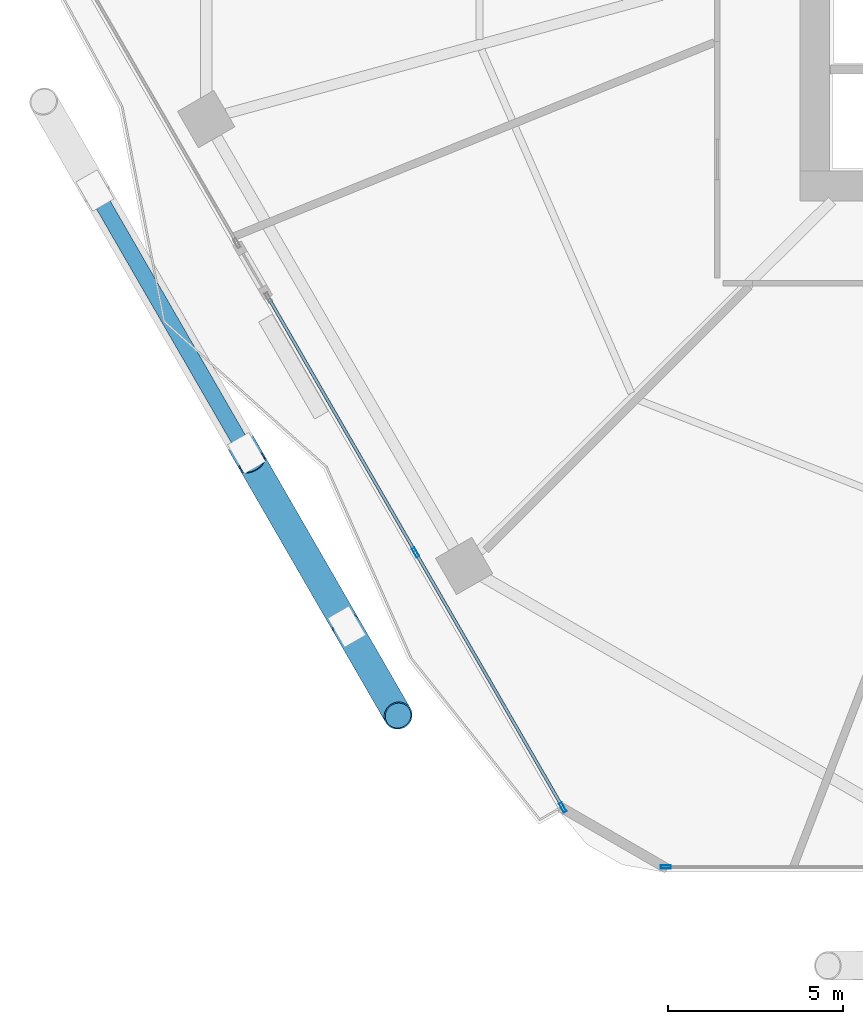
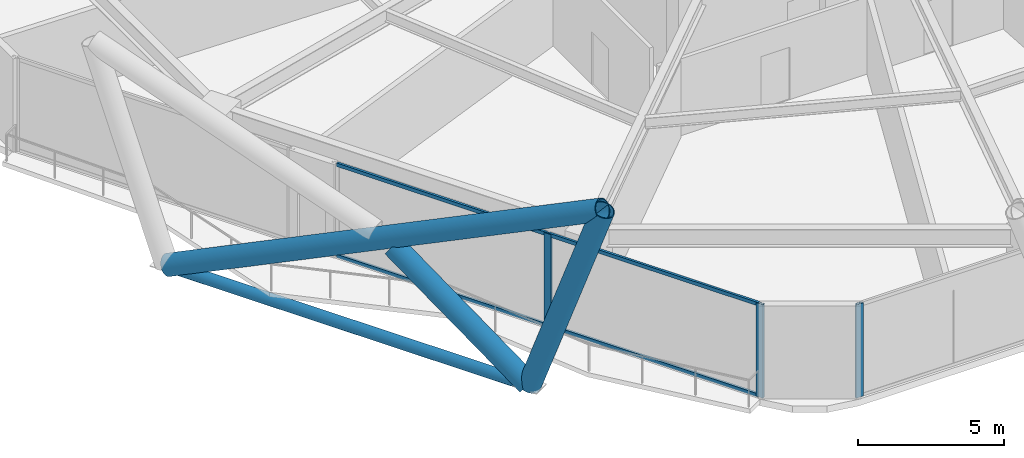
# One storey, part 2 of 30: 11 members, 2 elements without a shape of their own.
"""IFC4 building model written with IfcOpenShell, lengths in metres."""

from ifc_helpers import new_model, si_unit, direction, frame, origin, origin_2d, place, context, subcontext, project, spatial, hollow_rectangle, hollow_circle, extrude, material, material_profile, profile_set, type_object, element, aggregate, save


model = new_model("IFC4")

# Units and contexts
model_context = context("Model", 3, precision=1e-05, world=origin(), true_north=direction((0.0, 1.0)))
body_context = subcontext(model_context, "Body", "Model", "MODEL_VIEW")
ifc_project = project(units=[si_unit("LENGTHUNIT", "METRE"), si_unit("AREAUNIT", "SQUARE_METRE"), si_unit("VOLUMEUNIT", "CUBIC_METRE"), si_unit("PLANEANGLEUNIT", "RADIAN"), si_unit("MASSUNIT", "GRAM", prefix="KILO")], contexts=[model_context])

# Site, building, storey
site_placement = place(None, origin())
site = spatial("IfcSite", under=ifc_project, at=site_placement, CompositionType="ELEMENT")
building_placement = place(site_placement, origin())
building = spatial("IfcBuilding", under=site, at=building_placement, Name="Zuhravey Tower", CompositionType="ELEMENT")
storey_placement = place(building_placement, frame((0.0, 0.0, 16.199951171875)))
storey = spatial("IfcBuildingStorey", under=building, at=storey_placement, Name="L04", CompositionType="ELEMENT", Elevation=16.199951171875)

# Curtain wall, member
ifc_material_1 = material(Name="Thermally broken anodised aluminium", Category="aluminium")
curtain_wall_type = type_object("IfcCurtainWallType", Name="School Low-E Unitised Curtain Wall CW1", PredefinedType="NOTDEFINED", material=ifc_material_1)
curtain_wall_1_placement = place(storey_placement, origin())
curtain_wall_1 = element("IfcCurtainWall", 1, at=curtain_wall_1_placement, inside=storey, type_object=curtain_wall_type, Name="L04 CW1 CW-L04-F5-1", PredefinedType="NOTDEFINED")
ifc_material_2 = material(Name="Anodised aluminium", Category="aluminium")
ifc_material_profile_1 = material_profile(ifc_material_2, hollow_rectangle(XDim=0.090087890625, YDim=0.284912109375, WallThickness=0.0048828125, at=origin_2d()), Name="ALU-RHS-90x285x5")
ifc_profile_set_1 = profile_set([ifc_material_profile_1], Name="Anodised aluminium")
member_type_1 = type_object("IfcMemberType", Name="Curtain-Wall Mullion 90x180", PredefinedType="MULLION", material=ifc_profile_set_1)
member_1_placement = place(storey_placement, frame((21.24560546875, 3.04150390625, 0.0), z_axis=(0.0, 0.0, 1.0), x_axis=(0.0, -1.0, 0.0)))
member_1 = element("IfcMember", 2, at=member_1_placement, type_object=member_type_1, Name="CW1 mullion 4", PredefinedType="MULLION", context=body_context, shape_type="SweptSolid", body=[
    extrude(hollow_rectangle(XDim=0.090087890625, YDim=0.284912109375, WallThickness=0.0048828125, at=origin_2d()), origin(), (0.0, 0.0, 1.0), 3.920166015625),
])
aggregate(curtain_wall_1, [member_1])

# Curtain wall, members
curtain_wall_2_placement = place(storey_placement, origin())
curtain_wall_2 = element("IfcCurtainWall", 3, at=curtain_wall_2_placement, inside=storey, type_object=curtain_wall_type, Name="L04 CW1 CW-L04-F4-1", PredefinedType="NOTDEFINED")
member_2_placement = place(storey_placement, frame((18.298583984375, 4.742919921875, 0.0), z_axis=(0.0, 0.0, 1.0), x_axis=(-0.866025508574, -0.499999818499, 0.0)))
member_2 = element("IfcMember", 4, at=member_2_placement, type_object=member_type_1, Name="CW1 mullion 1", PredefinedType="MULLION", context=body_context, shape_type="SweptSolid", body=[
    extrude(hollow_rectangle(XDim=0.090087890625, YDim=0.284912109375, WallThickness=0.0048828125, at=origin_2d()), origin(), (0.0, 0.0, 1.0), 3.920166015625),
])
member_3_placement = place(storey_placement, frame((14.09228515625, 12.028564453125, 0.0), z_axis=(0.0, 0.0, 1.0), x_axis=(-0.866025508574, -0.499999818499, 0.0)))
member_3 = element("IfcMember", 5, at=member_3_placement, type_object=member_type_1, Name="CW1 mullion 2", PredefinedType="MULLION", context=body_context, shape_type="SweptSolid", body=[
    extrude(hollow_rectangle(XDim=0.090087890625, YDim=0.284912109375, WallThickness=0.0048828125, at=origin_2d()), origin(), (0.0, 0.0, 1.0), 3.920166015625),
])
ifc_material_profile_2 = material_profile(ifc_material_2, hollow_rectangle(XDim=0.090087890625, YDim=0.14990234375, WallThickness=0.0048828125, at=origin_2d()), Name="ALU-RHS-90x150x5")
ifc_profile_set_2 = profile_set([ifc_material_profile_2], Name="Anodised aluminium")
member_type_2 = type_object("IfcMemberType", Name="Curtain-Wall Transom 90x150", PredefinedType="USERDEFINED", material=ifc_profile_set_2)
member_4_placement = place(storey_placement, frame((18.27587890625, 4.781982421875, 0.045166015625), z_axis=(-0.499988236992, 0.866032195053, 0.0), x_axis=(-0.866032195053, -0.499988236992, 0.0)))
member_4 = element("IfcMember", 6, at=member_4_placement, type_object=member_type_2, Name="CW1 transom 1.1", ObjectType="TRANSOM", PredefinedType="USERDEFINED", context=body_context, shape_type="SweptSolid", body=[
    extrude(hollow_rectangle(XDim=0.090087890625, YDim=0.14990234375, WallThickness=0.0048828125, at=origin_2d()), origin(), (0.0, 0.0, 1.0), 8.322509765625),
])
member_5_placement = place(storey_placement, frame((18.27587890625, 4.781982421875, 3.875), z_axis=(-0.499988236992, 0.866032195053, 0.0), x_axis=(-0.866032195053, -0.499988236992, 0.0)))
member_5 = element("IfcMember", 7, at=member_5_placement, type_object=member_type_2, Name="CW1 transom 1.2", ObjectType="TRANSOM", PredefinedType="USERDEFINED", context=body_context, shape_type="SweptSolid", body=[
    extrude(hollow_rectangle(XDim=0.090087890625, YDim=0.14990234375, WallThickness=0.0048828125, at=origin_2d()), origin(), (0.0, 0.0, 1.0), 8.322509765625),
])
member_6_placement = place(storey_placement, frame((14.069580078125, 12.0673828125, 0.045166015625), z_axis=(-0.49997553497, 0.866039528216, 0.0), x_axis=(-0.866039528216, -0.49997553497, 0.0)))
member_6 = element("IfcMember", 8, at=member_6_placement, type_object=member_type_2, Name="CW1 transom 2.1", ObjectType="TRANSOM", PredefinedType="USERDEFINED", context=body_context, shape_type="SweptSolid", body=[
    extrude(hollow_rectangle(XDim=0.090087890625, YDim=0.14990234375, WallThickness=0.0048828125, at=origin_2d()), origin(), (0.0, 0.0, 1.0), 8.32275390625),
])
member_7_placement = place(storey_placement, frame((14.069580078125, 12.0673828125, 3.875), z_axis=(-0.49997553497, 0.866039528216, 0.0), x_axis=(-0.866039528216, -0.49997553497, 0.0)))
member_7 = element("IfcMember", 9, at=member_7_placement, type_object=member_type_2, Name="CW1 transom 2.2", ObjectType="TRANSOM", PredefinedType="USERDEFINED", context=body_context, shape_type="SweptSolid", body=[
    extrude(hollow_rectangle(XDim=0.090087890625, YDim=0.14990234375, WallThickness=0.0048828125, at=origin_2d()), origin(), (0.0, 0.0, 1.0), 8.32275390625),
])
aggregate(curtain_wall_2, [member_2, member_3, member_4, member_5, member_6, member_7])

# Members
ifc_material_3 = material(Name="Steel SM355", Category="steel")
ifc_material_profile_3 = material_profile(ifc_material_3, hollow_circle(Radius=0.228515625, WallThickness=0.02197265625, at=origin_2d()), Name="CHS-457.2x22")
ifc_profile_set_3 = profile_set([ifc_material_profile_3], Name="Steel SM355")
member_type_3 = type_object("IfcMemberType", Name="Exoskeleton Ring Tie CHS457x22", PredefinedType="CHORD", material=ifc_profile_set_3)
member_8_placement = place(storey_placement, frame((5.004150390625, 22.24951171875, -0.493896484375), z_axis=(0.499995593262, -0.866027948001, 0.0), x_axis=(0.866027948001, 0.499995593262, 0.0)))
element("IfcMember", 10, at=member_8_placement, inside=storey, type_object=member_type_3, Name="L04 Exoskeleton Face 4 Tie EXR1", PredefinedType="CHORD", context=body_context, shape_type="SweptSolid", body=[
    extrude(hollow_circle(Radius=0.228515625, WallThickness=0.02197265625, at=origin_2d()), origin(), (0.0, 0.0, 1.0), 14.107666015625),
])
ifc_material_4 = material(Name="Steel SM460", Category="steel")
ifc_material_profile_4 = material_profile(ifc_material_4, hollow_circle(Radius=0.406494140625, WallThickness=0.035888671875, at=origin_2d()), Name="CHS-812.8x36")
ifc_profile_set_4 = profile_set([ifc_material_profile_4], Name="Steel SM460")
member_type_4 = type_object("IfcMemberType", Name="Exoskeleton Zone 1 Diagrid CHS813x36", PredefinedType="BRACE", material=ifc_profile_set_4)
member_9_placement = place(storey_placement, frame((4.956787109375, 22.33154296875, -0.471923828125), z_axis=(0.449932637588, -0.779312332372, 0.436156978902), x_axis=(0.866027110715, 0.499997043497, 0.0)))
element("IfcMember", 11, at=member_9_placement, inside=storey, type_object=member_type_4, Name="L04 Face 4 Diagrid Brace 2", PredefinedType="BRACE", context=body_context, shape_type="SweptSolid", body=[
    extrude(hollow_circle(Radius=0.406494140625, WallThickness=0.035888671875, at=origin_2d()), origin(), (0.0, 0.0, 1.0), 19.158203125),
])
member_10_placement = place(storey_placement, frame((12.1318359375, 9.904052734375, -0.471923828125), z_axis=(0.165307317227, -0.286358046605, 0.943754501984), x_axis=(0.866053660865, 0.499951054106, 0.0)))
element("IfcMember", 12, at=member_10_placement, inside=storey, type_object=member_type_4, Name="L04 Face 4 Diagrid Brace 4", PredefinedType="BRACE", context=body_context, shape_type="SweptSolid", body=[
    extrude(hollow_circle(Radius=0.406494140625, WallThickness=0.035888671875, at=origin_2d()), origin(), (0.0, 0.0, 1.0), 8.85400390625),
])
member_11_placement = place(storey_placement, frame((12.107666015625, 9.94580078125, -0.464111328125), z_axis=(-0.403092056741, 0.69816190232, 0.59168129254), x_axis=(-0.866021056018, -0.500007530476, 0.0)))
element("IfcMember", 13, at=member_11_placement, inside=storey, type_object=member_type_4, Name="L04 Face 4 Split Diagrid Brace 3A", PredefinedType="BRACE", context=body_context, shape_type="SweptSolid", body=[
    extrude(hollow_circle(Radius=0.406494140625, WallThickness=0.035888671875, at=origin_2d()), origin(), (0.0, 0.0, 1.0), 6.6513671875),
])

save(model, "model.ifc")
